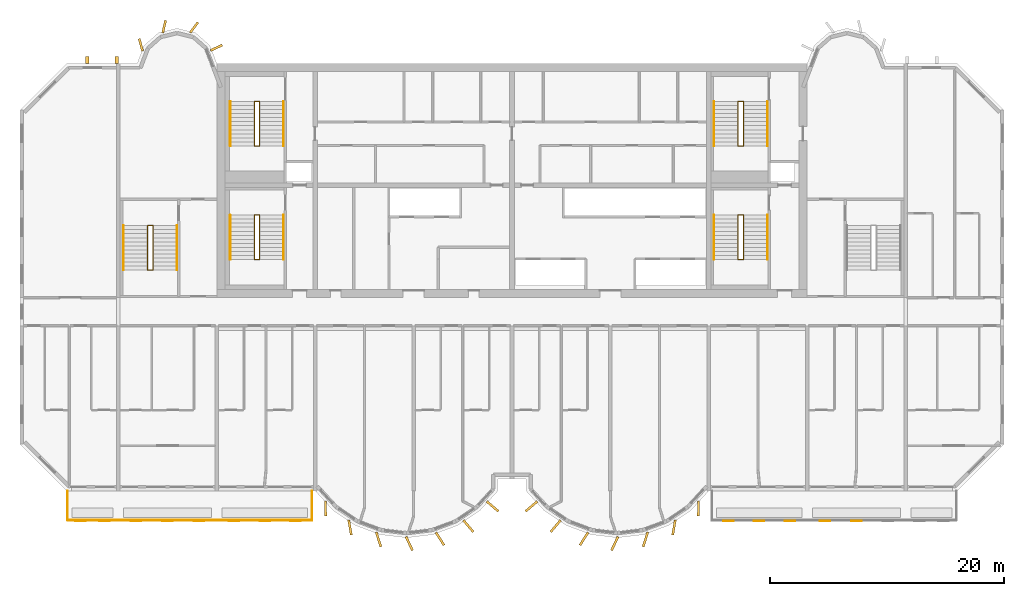
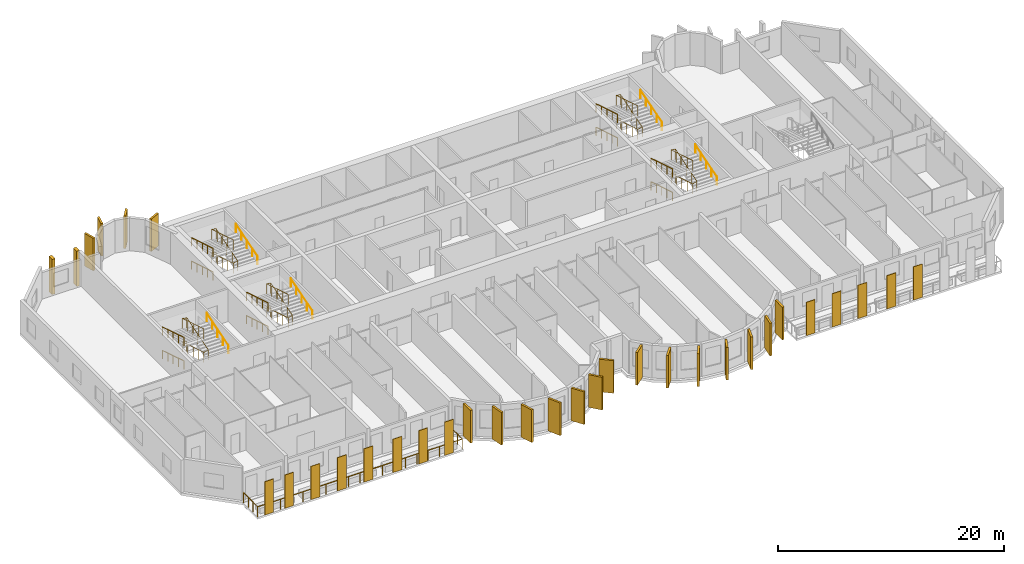
# One storey, part 11 of 13: 33 coverings, 21 railings.
"""IFC4 building model written with IfcOpenShell, lengths in metres."""

from ifc_helpers import new_model, si_unit, direction, frame, origin, origin_2d, place, context, subcontext, project, spatial, rectangle, circle, extrude, source, transform, mapped, material, layer, layer_set, material_profile, profile_set, type_object, element, save


model = new_model("IFC4")

# Units and contexts
model_context = context("Model", 3, precision=1e-05, world=origin(), true_north=direction((0.0, 1.0)))
body_context = subcontext(model_context, "Body", "Model", "MODEL_VIEW")
ifc_project = project(units=[si_unit("LENGTHUNIT", "METRE"), si_unit("AREAUNIT", "SQUARE_METRE"), si_unit("VOLUMEUNIT", "CUBIC_METRE"), si_unit("PLANEANGLEUNIT", "RADIAN"), si_unit("MASSUNIT", "GRAM", prefix="KILO")], contexts=[model_context])

# Site, building, storey
site_placement = place(None, origin())
site = spatial("IfcSite", under=ifc_project, at=site_placement, CompositionType="ELEMENT")
building_placement = place(site_placement, origin())
building = spatial("IfcBuilding", under=site, at=building_placement, Name="Vanashikhar Sky Hotel", CompositionType="ELEMENT")
storey_placement = place(building_placement, frame((0.0, 0.0, 166.800048828125)))
storey = spatial("IfcBuildingStorey", under=building, at=storey_placement, Name="L40", CompositionType="ELEMENT", Elevation=166.800048828125)

# Coverings
ifc_material_1 = material(Name="Terracotta", Category="masonry")
ifc_layer = layer(ifc_material_1, 0.06005859375)
ifc_layer_set = layer_set([ifc_layer], Name="Terracotta baguette screen")
covering_type_1 = type_object("IfcCoveringType", Name="Terracotta baguette screen", PredefinedType="CLADDING", material=ifc_layer_set)
shared_shape_1 = source(origin(), body_context, "Body", "SweptSolid", [
    extrude(rectangle(XDim=0.89990234375, YDim=0.06005859375, at=origin_2d()), origin(), (0.0, 0.0, 1.0), 3.60009765625),
])
for number, where, z_axis, x_axis, name in (
    (1, (13.574951171875, 2.929931640625, -0.050048828125), (0.0, 0.0, 1.0), (1.0, 0.0, 0.0), "Terracotta screen"),
    (2, (15.625, 2.929931640625, -0.050048828125), (0.0, 0.0, 1.0), (1.0, 0.0, 0.0), "Terracotta screen"),
    (3, (18.300048828125, 2.929931640625, -0.050048828125), (0.0, 0.0, 1.0), (1.0, 0.0, 0.0), "Terracotta screen"),
    (4, (21.0, 2.929931640625, -0.050048828125), (0.0, 0.0, 1.0), (1.0, 0.0, 0.0), "Terracotta screen"),
    (5, (23.699951171875, 2.929931640625, -0.050048828125), (0.0, 0.0, 1.0), (1.0, 0.0, 0.0), "Terracotta screen"),
    (6, (26.666748046875, 2.929931640625, -0.050048828125), (0.0, 0.0, 1.0), (1.0, 0.0, 0.0), "Terracotta screen"),
    (7, (29.300048828125, 2.929931640625, -0.050048828125), (0.0, 0.0, 1.0), (1.0, 0.0, 0.0), "Terracotta screen"),
    (8, (31.933349609375, 2.929931640625, -0.050048828125), (0.0, 0.0, 1.0), (1.0, 0.0, 0.0), "Terracotta screen"),
    (9, (68.86669921875, 2.929931640625, -0.050048828125), (0.0, 0.0, 1.0), (1.0, 0.0, 0.0), "Terracotta screen"),
    (10, (71.5, 2.929931640625, -0.050048828125), (0.0, 0.0, 1.0), (1.0, 0.0, 0.0), "Terracotta screen"),
    (11, (74.13330078125, 2.929931640625, -0.050048828125), (0.0, 0.0, 1.0), (1.0, 0.0, 0.0), "Terracotta screen"),
    (12, (77.10009765625, 2.929931640625, -0.050048828125), (0.0, 0.0, 1.0), (1.0, 0.0, 0.0), "Terracotta screen"),
    (13, (79.800048828125, 2.929931640625, -0.050048828125), (0.0, 0.0, 1.0), (1.0, 0.0, 0.0), "Terracotta screen"),
):
    element("IfcCovering", number, at=place(storey_placement, frame(where, z_axis=z_axis, x_axis=x_axis)), inside=storey, type_object=covering_type_1, Name=name, PredefinedType="CLADDING", context=body_context, shape_type="MappedRepresentation", body=[
        mapped(shared_shape_1, transform((0.0, 0.0, 0.0), scale=1.0)),
    ])
ifc_material_2 = material(Name="Concrete M60 dark", Category="concrete")
ifc_material_profile_1 = material_profile(ifc_material_2, rectangle(XDim=1.300048828125, YDim=0.199951171875, at=origin_2d()))
ifc_profile_set_1 = profile_set([ifc_material_profile_1], Name="Fin 1300 x 200")
covering_type_2 = type_object("IfcCoveringType", Name="Fin 1300 x 200", PredefinedType="CLADDING", material=ifc_profile_set_1)
shared_shape_2 = source(origin(), body_context, "Body", "SweptSolid", [
    extrude(rectangle(XDim=1.300048828125, YDim=0.199951171875, at=origin_2d()), origin(), (0.0, 0.0, 1.0), 3.52001953125),
])
for number, where, z_axis, x_axis, name in (
    (14, (34.482421875, 3.992919921875, 0.0), (0.0, 0.0, 1.0), (0.011588726826, -0.999932848451, 0.0), "Fin F1-1"),
    (15, (36.572509765625, 2.3779296875, 0.0), (0.0, 0.0, 1.0), (0.16989991575, -0.985461322746, 0.0), "Fin F1-2"),
    (16, (39.00830078125, 1.35693359375, 0.0), (0.0, 0.0, 1.0), (0.303966551867, -0.952682704444, 0.0), "Fin F1-3"),
    (17, (41.63232421875, 1.00146484375, 0.0), (0.0, 0.0, 1.0), (0.422618261741, -0.906307787037, 0.0), "Fin F1-4"),
    (18, (44.251953125, 1.416015625, 0.0), (0.0, 0.0, 1.0), (0.534411358496, -0.845224526331, 0.0), "Fin F1-5"),
    (19, (46.676025390625, 2.5, 0.0), (0.0, 0.0, 1.0), (0.645697609467, -0.763593214433, 0.0), "Fin F1-6"),
    (20, (48.7412109375, 4.1845703125, 0.0), (0.0, 0.0, 1.0), (0.758543912032, -0.65162192529, 0.0), "Fin F1-7"),
    (21, (52.058837890625, 4.1845703125, 0.0), (0.0, 0.0, 1.0), (-0.758543912032, -0.65162192529, 0.0), "Fin F2-1"),
    (22, (54.123779296875, 2.5, 0.0), (0.0, 0.0, 1.0), (-0.645697609467, -0.763593214433, 0.0), "Fin F2-2"),
    (23, (56.547119140625, 1.416015625, 0.0), (0.0, 0.0, 1.0), (-0.534411358496, -0.845224526331, 0.0), "Fin F2-3"),
    (24, (59.16748046875, 1.00146484375, 0.0), (0.0, 0.0, 1.0), (-0.422618261741, -0.906307787037, 0.0), "Fin F2-4"),
    (25, (61.790771484375, 1.35693359375, 0.0), (0.0, 0.0, 1.0), (-0.303966551867, -0.952682704444, 0.0), "Fin F2-5"),
    (26, (64.2275390625, 2.3779296875, 0.0), (0.0, 0.0, 1.0), (-0.16989991575, -0.985461322746, 0.0), "Fin F2-6"),
    (27, (66.317626953125, 3.992919921875, 0.0), (0.0, 0.0, 1.0), (-0.011588726826, -0.999932848451, 0.0), "Fin F2-7"),
):
    element("IfcCovering", number, at=place(storey_placement, frame(where, z_axis=z_axis, x_axis=x_axis)), inside=storey, type_object=covering_type_2, Name=name, PredefinedType="CLADDING", context=body_context, shape_type="MappedRepresentation", body=[
        mapped(shared_shape_2, transform((0.0, 0.0, 0.0), scale=1.0)),
    ])
ifc_material_profile_2 = material_profile(ifc_material_2, rectangle(XDim=1.10009765625, YDim=0.199951171875, at=origin_2d()))
ifc_profile_set_2 = profile_set([ifc_material_profile_2], Name="Rear lobe fin 1100 x 200")
covering_type_3 = type_object("IfcCoveringType", Name="Rear lobe fin 1100 x 200", PredefinedType="CLADDING", material=ifc_profile_set_2)
shared_shape_3 = source(origin(), body_context, "Body", "SweptSolid", [
    extrude(rectangle(XDim=1.10009765625, YDim=0.199951171875, at=origin_2d()), origin(), (0.0, 0.0, 1.0), 3.52001953125),
])
for number, where, z_axis, x_axis, name in (
    (28, (18.720703125, 43.580078125, 0.0), (0.0, 0.0, 1.0), (-0.262711264409, 0.964874495234, 0.0), "Fin R1-1"),
    (29, (20.710205078125, 45.1455078125, 0.0), (0.0, 0.0, 1.0), (0.224644935864, 0.974440687159, 0.0), "Fin R1-2"),
    (30, (23.261962890625, 45.06640625, 0.0), (0.0, 0.0, 1.0), (0.602065892195, 0.798446404874, 0.0), "Fin R1-3"),
    (31, (25.169677734375, 43.33447265625, 0.0), (0.0, 0.0, 1.0), (0.908004291068, 0.418960866193, 0.0), "Fin R1-4"),
):
    element("IfcCovering", number, at=place(storey_placement, frame(where, z_axis=z_axis, x_axis=x_axis)), inside=storey, type_object=covering_type_3, Name=name, PredefinedType="CLADDING", context=body_context, shape_type="MappedRepresentation", body=[
        mapped(shared_shape_3, transform((0.0, 0.0, 0.0), scale=1.0)),
    ])

# Railing
ifc_material_3 = material(Name="Stainless steel 316", Category="steel")
railing_type_1 = type_object("IfcRailingType", Name="Balcony guard 1100", PredefinedType="GUARDRAIL", material=ifc_material_3)
shared_shape_4 = source(origin(), body_context, "Body", "SweptSolid", [
    extrude(circle(Radius=0.02392578125, at=origin_2d()), frame((0.0, 0.0, 1.076171875), z_axis=(0.0, -1.0, 0.0), x_axis=(1.0, 0.0, 0.0)), (0.0, 0.0, 1.0), 2.5),
    extrude(circle(Radius=0.02392578125, at=origin_2d()), frame((0.0, -2.5, 1.076171875), z_axis=(1.0, 0.0, 0.0), x_axis=(0.0, 1.0, 0.0)), (0.0, 0.0, 1.0), 20.880126953125),
    extrude(circle(Radius=0.02392578125, at=origin_2d()), frame((20.880126953125, -2.5, 1.076171875), z_axis=(0.0, 1.0, 0.0), x_axis=(-1.0, 0.0, 0.0)), (0.0, 0.0, 1.0), 2.5),
    extrude(circle(Radius=0.02099609375, at=origin_2d()), origin(), (0.0, 0.0, 1.0), 1.052001953125),
    extrude(circle(Radius=0.02099609375, at=origin_2d()), frame((0.0, -0.833251953125, 0.0)), (0.0, 0.0, 1.0), 1.052001953125),
    extrude(circle(Radius=0.02099609375, at=origin_2d()), frame((0.0, -1.666748046875, 0.0)), (0.0, 0.0, 1.0), 1.052001953125),
    extrude(circle(Radius=0.02099609375, at=origin_2d()), frame((0.0, -2.5, 0.0)), (0.0, 0.0, 1.0), 1.052001953125),
    extrude(circle(Radius=0.02099609375, at=origin_2d()), frame((1.159912109375, -2.5, 0.0)), (0.0, 0.0, 1.0), 1.052001953125),
    extrude(circle(Radius=0.02099609375, at=origin_2d()), frame((2.320068359375, -2.5, 0.0)), (0.0, 0.0, 1.0), 1.052001953125),
    extrude(circle(Radius=0.02099609375, at=origin_2d()), frame((3.47998046875, -2.5, 0.0)), (0.0, 0.0, 1.0), 1.052001953125),
    extrude(circle(Radius=0.02099609375, at=origin_2d()), frame((4.64013671875, -2.5, 0.0)), (0.0, 0.0, 1.0), 1.052001953125),
    extrude(circle(Radius=0.02099609375, at=origin_2d()), frame((5.800048828125, -2.5, 0.0)), (0.0, 0.0, 1.0), 1.052001953125),
    extrude(circle(Radius=0.02099609375, at=origin_2d()), frame((6.9599609375, -2.5, 0.0)), (0.0, 0.0, 1.0), 1.052001953125),
    extrude(circle(Radius=0.02099609375, at=origin_2d()), frame((8.1201171875, -2.5, 0.0)), (0.0, 0.0, 1.0), 1.052001953125),
    extrude(circle(Radius=0.02099609375, at=origin_2d()), frame((9.280029296875, -2.5, 0.0)), (0.0, 0.0, 1.0), 1.052001953125),
    extrude(circle(Radius=0.02099609375, at=origin_2d()), frame((10.43994140625, -2.5, 0.0)), (0.0, 0.0, 1.0), 1.052001953125),
    extrude(circle(Radius=0.02099609375, at=origin_2d()), frame((11.60009765625, -2.5, 0.0)), (0.0, 0.0, 1.0), 1.052001953125),
    extrude(circle(Radius=0.02099609375, at=origin_2d()), frame((12.760009765625, -2.5, 0.0)), (0.0, 0.0, 1.0), 1.052001953125),
    extrude(circle(Radius=0.02099609375, at=origin_2d()), frame((13.920166015625, -2.5, 0.0)), (0.0, 0.0, 1.0), 1.052001953125),
    extrude(circle(Radius=0.02099609375, at=origin_2d()), frame((15.080078125, -2.5, 0.0)), (0.0, 0.0, 1.0), 1.052001953125),
    extrude(circle(Radius=0.02099609375, at=origin_2d()), frame((16.239990234375, -2.5, 0.0)), (0.0, 0.0, 1.0), 1.052001953125),
    extrude(circle(Radius=0.02099609375, at=origin_2d()), frame((17.400146484375, -2.5, 0.0)), (0.0, 0.0, 1.0), 1.052001953125),
    extrude(circle(Radius=0.02099609375, at=origin_2d()), frame((18.56005859375, -2.5, 0.0)), (0.0, 0.0, 1.0), 1.052001953125),
    extrude(circle(Radius=0.02099609375, at=origin_2d()), frame((19.72021484375, -2.5, 0.0)), (0.0, 0.0, 1.0), 1.052001953125),
    extrude(circle(Radius=0.02099609375, at=origin_2d()), frame((20.880126953125, -2.5, 0.0)), (0.0, 0.0, 1.0), 1.052001953125),
    extrude(circle(Radius=0.02099609375, at=origin_2d()), frame((20.880126953125, -1.666748046875, 0.0)), (0.0, 0.0, 1.0), 1.052001953125),
    extrude(circle(Radius=0.02099609375, at=origin_2d()), frame((20.880126953125, -0.833251953125, 0.0)), (0.0, 0.0, 1.0), 1.052001953125),
    extrude(circle(Radius=0.02099609375, at=origin_2d()), frame((20.880126953125, 0.0, 0.0)), (0.0, 0.0, 1.0), 1.052001953125),
])
railing_1_placement = place(storey_placement, frame((12.4599609375, 5.5, -0.050048828125)))
element("IfcRailing", 32, at=railing_1_placement, inside=storey, type_object=railing_type_1, Name="Balcony guard", PredefinedType="GUARDRAIL", context=body_context, shape_type="MappedRepresentation", body=[
    mapped(shared_shape_4, transform((0.0, 0.0, 0.0), scale=1.0)),
])

# Coverings
ifc_material_profile_3 = material_profile(ifc_material_2, rectangle(XDim=0.60009765625, YDim=0.300048828125, at=origin_2d()))
ifc_profile_set_3 = profile_set([ifc_material_profile_3], Name="Rear rib 600 x 300")
covering_type_4 = type_object("IfcCoveringType", Name="Rear rib 600 x 300", PredefinedType="CLADDING", material=ifc_profile_set_3)
shared_shape_5 = source(origin(), body_context, "Body", "SweptSolid", [
    extrude(rectangle(XDim=0.60009765625, YDim=0.300048828125, at=origin_2d()), origin(), (0.0, 0.0, 1.0), 3.800048828125),
])
for number, where, z_axis, x_axis, name in (
    (33, (14.14990234375, 42.300048828125, -0.280029296875), (0.0, 0.0, 1.0), (0.0, 1.0, 0.0), "Rear rib"),
    (34, (16.64990234375, 42.300048828125, -0.280029296875), (0.0, 0.0, 1.0), (0.0, 1.0, 0.0), "Rear rib"),
):
    element("IfcCovering", number, at=place(storey_placement, frame(where, z_axis=z_axis, x_axis=x_axis)), inside=storey, type_object=covering_type_4, Name=name, PredefinedType="CLADDING", context=body_context, shape_type="MappedRepresentation", body=[
        mapped(shared_shape_5, transform((0.0, 0.0, 0.0), scale=1.0)),
    ])

# Railings
ifc_material_4 = material(Name="Steel S355", Category="steel")
railing_type_2 = type_object("IfcRailingType", Name="Stair handrail 900", PredefinedType="HANDRAIL", material=ifc_material_4)
shared_shape_6 = source(origin(), body_context, "Body", "SweptSolid", [
    extrude(circle(Radius=0.02392578125, at=origin_2d()), frame((0.0, 0.0, 0.8759765625), z_axis=(0.0, 0.95635109408, 0.292220096591), x_axis=(-1.0, 0.0, 0.0)), (0.0, 0.0, 1.0), 3.973388671875),
    extrude(circle(Radius=0.02099609375, at=origin_2d()), origin(), (0.0, 0.0, 1.0), 0.851806640625),
    extrude(circle(Radius=0.02099609375, at=origin_2d()), frame((0.0, 0.949951171875, 0.290283203125)), (0.0, 0.0, 1.0), 0.851806640625),
    extrude(circle(Radius=0.02099609375, at=origin_2d()), frame((0.0, 1.89990234375, 0.58056640625)), (0.0, 0.0, 1.0), 0.851806640625),
    extrude(circle(Radius=0.02099609375, at=origin_2d()), frame((0.0, 2.85009765625, 0.870849609375)), (0.0, 0.0, 1.0), 0.851806640625),
    extrude(circle(Radius=0.02099609375, at=origin_2d()), frame((0.0, 3.800048828125, 1.1611328125)), (0.0, 0.0, 1.0), 0.851806640625),
])
for number, where, name in (
    (35, (30.89990234375, 25.25, 1.3720703125), "Exit stair 1 handrail"),
    (36, (72.199951171875, 25.25, 1.3720703125), "Exit stair 2 handrail"),
    (37, (30.89990234375, 34.949951171875, 1.3720703125), "Exit stair 5 handrail"),
    (38, (72.199951171875, 34.949951171875, 1.3720703125), "Exit stair 6 handrail"),
):
    element("IfcRailing", number, at=place(storey_placement, frame(where)), inside=storey, type_object=railing_type_2, Name=name, PredefinedType="HANDRAIL", context=body_context, shape_type="MappedRepresentation", body=[
        mapped(shared_shape_6, transform((0.0, 0.0, 0.0), scale=1.0)),
    ])
shared_shape_7 = source(origin(), body_context, "Body", "SweptSolid", [
    extrude(circle(Radius=0.02392578125, at=origin_2d()), frame((0.0, 0.0, 0.8759765625), z_axis=(0.0, -0.95635109408, 0.292220096591), x_axis=(1.0, 0.0, 0.0)), (0.0, 0.0, 1.0), 3.973388671875),
    extrude(circle(Radius=0.02099609375, at=origin_2d()), origin(), (0.0, 0.0, 1.0), 0.851806640625),
    extrude(circle(Radius=0.02099609375, at=origin_2d()), frame((0.0, -0.949951171875, 0.290283203125)), (0.0, 0.0, 1.0), 0.851806640625),
    extrude(circle(Radius=0.02099609375, at=origin_2d()), frame((0.0, -1.89990234375, 0.58056640625)), (0.0, 0.0, 1.0), 0.851806640625),
    extrude(circle(Radius=0.02099609375, at=origin_2d()), frame((0.0, -2.85009765625, 0.870849609375)), (0.0, 0.0, 1.0), 0.851806640625),
    extrude(circle(Radius=0.02099609375, at=origin_2d()), frame((0.0, -3.800048828125, 1.1611328125)), (0.0, 0.0, 1.0), 0.851806640625),
])
for number, where, name in (
    (39, (26.35009765625, 29.050048828125, 0.10546875), "Exit stair 1 handrail"),
    (40, (26.35009765625, 29.050048828125, 2.638916015625), "Exit stair 1 handrail"),
    (41, (67.64990234375, 29.050048828125, 0.10546875), "Exit stair 2 handrail"),
    (42, (67.64990234375, 29.050048828125, 2.638916015625), "Exit stair 2 handrail"),
    (43, (26.35009765625, 38.75, 0.10546875), "Exit stair 5 handrail"),
    (44, (26.35009765625, 38.75, 2.638916015625), "Exit stair 5 handrail"),
    (45, (67.64990234375, 38.75, 0.10546875), "Exit stair 6 handrail"),
    (46, (67.64990234375, 38.75, 2.638916015625), "Exit stair 6 handrail"),
):
    element("IfcRailing", number, at=place(storey_placement, frame(where)), inside=storey, type_object=railing_type_2, Name=name, PredefinedType="HANDRAIL", context=body_context, shape_type="MappedRepresentation", body=[
        mapped(shared_shape_7, transform((0.0, 0.0, 0.0), scale=1.0)),
    ])
railing_type_3 = type_object("IfcRailingType", Name="Stair guard 1100", PredefinedType="GUARDRAIL", material=ifc_material_4)
shared_shape_8 = source(origin(), body_context, "Body", "SweptSolid", [
    extrude(circle(Radius=0.02392578125, at=origin_2d()), frame((0.0, 0.0, 1.076171875), z_axis=(-0.973638301096, 0.0, 0.228097476179), x_axis=(0.0, -1.0, 0.0)), (0.0, 0.0, 1.0), 0.46240234375),
    extrude(circle(Radius=0.02392578125, at=origin_2d()), frame((-0.4501953125, 0.0, 1.181640625), z_axis=(0.0, -0.95635109408, 0.292220096591), x_axis=(1.0, 0.0, 0.0)), (0.0, 0.0, 1.0), 3.973388671875),
    extrude(circle(Radius=0.02392578125, at=origin_2d()), frame((-0.4501953125, -3.800048828125, 2.3427734375), z_axis=(0.973638301096, 0.0, 0.228097476179), x_axis=(0.0, 1.0, 0.0)), (0.0, 0.0, 1.0), 0.46240234375),
    extrude(circle(Radius=0.02392578125, at=origin_2d()), frame((0.0, -3.800048828125, 2.4482421875), z_axis=(0.0, 0.95635109408, 0.292220096591), x_axis=(-1.0, 0.0, 0.0)), (0.0, 0.0, 1.0), 3.973388671875),
    extrude(circle(Radius=0.02392578125, at=origin_2d()), frame((0.0, 0.0, 3.609375), z_axis=(-0.973520925263, 0.0, 0.228597917917), x_axis=(0.0, -1.0, 0.0)), (0.0, 0.0, 1.0), 0.46240234375),
    extrude(circle(Radius=0.02392578125, at=origin_2d()), frame((-0.4501953125, 0.0, 3.71484375), z_axis=(0.0, -0.95635109408, 0.292220096591), x_axis=(1.0, 0.0, 0.0)), (0.0, 0.0, 1.0), 3.973388671875),
    extrude(circle(Radius=0.02099609375, at=origin_2d()), origin(), (0.0, 0.0, 1.0), 1.052001953125),
    extrude(circle(Radius=0.02099609375, at=origin_2d()), frame((-0.4501953125, 0.0, 0.10546875)), (0.0, 0.0, 1.0), 1.052001953125),
    extrude(circle(Radius=0.02099609375, at=origin_2d()), frame((-0.4501953125, -0.949951171875, 0.395751953125)), (0.0, 0.0, 1.0), 1.052001953125),
    extrude(circle(Radius=0.02099609375, at=origin_2d()), frame((-0.4501953125, -1.89990234375, 0.68603515625)), (0.0, 0.0, 1.0), 1.052001953125),
    extrude(circle(Radius=0.02099609375, at=origin_2d()), frame((-0.4501953125, -2.85009765625, 0.976318359375)), (0.0, 0.0, 1.0), 1.052001953125),
    extrude(circle(Radius=0.02099609375, at=origin_2d()), frame((-0.4501953125, -3.800048828125, 1.2666015625)), (0.0, 0.0, 1.0), 1.052001953125),
    extrude(circle(Radius=0.02099609375, at=origin_2d()), frame((0.0, -3.800048828125, 1.3720703125)), (0.0, 0.0, 1.0), 1.052001953125),
    extrude(circle(Radius=0.02099609375, at=origin_2d()), frame((0.0, -2.85009765625, 1.662353515625)), (0.0, 0.0, 1.0), 1.052001953125),
    extrude(circle(Radius=0.02099609375, at=origin_2d()), frame((0.0, -1.89990234375, 1.95263671875)), (0.0, 0.0, 1.0), 1.052001953125),
    extrude(circle(Radius=0.02099609375, at=origin_2d()), frame((0.0, -0.949951171875, 2.242919921875)), (0.0, 0.0, 1.0), 1.052001953125),
    extrude(circle(Radius=0.02099609375, at=origin_2d()), frame((0.0, 0.0, 2.533203125)), (0.0, 0.0, 1.0), 1.052001953125),
    extrude(circle(Radius=0.02099609375, at=origin_2d()), frame((-0.4501953125, 0.0, 2.638916015625)), (0.0, 0.0, 1.0), 1.052001953125),
    extrude(circle(Radius=0.02099609375, at=origin_2d()), frame((-0.4501953125, -0.949951171875, 2.92919921875)), (0.0, 0.0, 1.0), 1.052001953125),
    extrude(circle(Radius=0.02099609375, at=origin_2d()), frame((-0.4501953125, -1.89990234375, 3.219482421875)), (0.0, 0.0, 1.0), 1.052001953125),
    extrude(circle(Radius=0.02099609375, at=origin_2d()), frame((-0.4501953125, -2.85009765625, 3.509765625)), (0.0, 0.0, 1.0), 1.052001953125),
    extrude(circle(Radius=0.02099609375, at=origin_2d()), frame((-0.4501953125, -3.800048828125, 3.800048828125)), (0.0, 0.0, 1.0), 1.052001953125),
])
for number, where, name in (
    (47, (28.85009765625, 29.050048828125, 0.0), "Exit stair 1 guard"),
    (48, (28.85009765625, 38.75, 0.0), "Exit stair 5 guard"),
):
    element("IfcRailing", number, at=place(storey_placement, frame(where)), inside=storey, type_object=railing_type_3, Name=name, PredefinedType="GUARDRAIL", context=body_context, shape_type="MappedRepresentation", body=[
        mapped(shared_shape_8, transform((0.0, 0.0, 0.0), scale=1.0)),
    ])
shared_shape_9 = source(origin(), body_context, "Body", "SweptSolid", [
    extrude(circle(Radius=0.02392578125, at=origin_2d()), frame((0.0, 0.0, 1.076171875), z_axis=(-0.973610808694, 0.0, 0.228214796178), x_axis=(0.0, -1.0, 0.0)), (0.0, 0.0, 1.0), 0.462158203125),
    extrude(circle(Radius=0.02392578125, at=origin_2d()), frame((-0.449951171875, 0.0, 1.181640625), z_axis=(0.0, -0.95635109408, 0.292220096591), x_axis=(1.0, 0.0, 0.0)), (0.0, 0.0, 1.0), 3.973388671875),
    extrude(circle(Radius=0.02392578125, at=origin_2d()), frame((-0.449951171875, -3.800048828125, 2.3427734375), z_axis=(0.973610808694, 0.0, 0.228214796178), x_axis=(0.0, 1.0, 0.0)), (0.0, 0.0, 1.0), 0.462158203125),
    extrude(circle(Radius=0.02392578125, at=origin_2d()), frame((0.0, -3.800048828125, 2.4482421875), z_axis=(0.0, 0.95635109408, 0.292220096591), x_axis=(-1.0, 0.0, 0.0)), (0.0, 0.0, 1.0), 3.973388671875),
    extrude(circle(Radius=0.02392578125, at=origin_2d()), frame((0.0, 0.0, 3.609375), z_axis=(-0.973493315427, 0.0, 0.228715466945), x_axis=(0.0, -1.0, 0.0)), (0.0, 0.0, 1.0), 0.462158203125),
    extrude(circle(Radius=0.02392578125, at=origin_2d()), frame((-0.449951171875, 0.0, 3.71484375), z_axis=(0.0, -0.95635109408, 0.292220096591), x_axis=(1.0, 0.0, 0.0)), (0.0, 0.0, 1.0), 3.973388671875),
    extrude(circle(Radius=0.02099609375, at=origin_2d()), origin(), (0.0, 0.0, 1.0), 1.052001953125),
    extrude(circle(Radius=0.02099609375, at=origin_2d()), frame((-0.449951171875, 0.0, 0.10546875)), (0.0, 0.0, 1.0), 1.052001953125),
    extrude(circle(Radius=0.02099609375, at=origin_2d()), frame((-0.449951171875, -0.949951171875, 0.395751953125)), (0.0, 0.0, 1.0), 1.052001953125),
    extrude(circle(Radius=0.02099609375, at=origin_2d()), frame((-0.449951171875, -1.89990234375, 0.68603515625)), (0.0, 0.0, 1.0), 1.052001953125),
    extrude(circle(Radius=0.02099609375, at=origin_2d()), frame((-0.449951171875, -2.85009765625, 0.976318359375)), (0.0, 0.0, 1.0), 1.052001953125),
    extrude(circle(Radius=0.02099609375, at=origin_2d()), frame((-0.449951171875, -3.800048828125, 1.2666015625)), (0.0, 0.0, 1.0), 1.052001953125),
    extrude(circle(Radius=0.02099609375, at=origin_2d()), frame((0.0, -3.800048828125, 1.3720703125)), (0.0, 0.0, 1.0), 1.052001953125),
    extrude(circle(Radius=0.02099609375, at=origin_2d()), frame((0.0, -2.85009765625, 1.662353515625)), (0.0, 0.0, 1.0), 1.052001953125),
    extrude(circle(Radius=0.02099609375, at=origin_2d()), frame((0.0, -1.89990234375, 1.95263671875)), (0.0, 0.0, 1.0), 1.052001953125),
    extrude(circle(Radius=0.02099609375, at=origin_2d()), frame((0.0, -0.949951171875, 2.242919921875)), (0.0, 0.0, 1.0), 1.052001953125),
    extrude(circle(Radius=0.02099609375, at=origin_2d()), frame((0.0, 0.0, 2.533203125)), (0.0, 0.0, 1.0), 1.052001953125),
    extrude(circle(Radius=0.02099609375, at=origin_2d()), frame((-0.449951171875, 0.0, 2.638916015625)), (0.0, 0.0, 1.0), 1.052001953125),
    extrude(circle(Radius=0.02099609375, at=origin_2d()), frame((-0.449951171875, -0.949951171875, 2.92919921875)), (0.0, 0.0, 1.0), 1.052001953125),
    extrude(circle(Radius=0.02099609375, at=origin_2d()), frame((-0.449951171875, -1.89990234375, 3.219482421875)), (0.0, 0.0, 1.0), 1.052001953125),
    extrude(circle(Radius=0.02099609375, at=origin_2d()), frame((-0.449951171875, -2.85009765625, 3.509765625)), (0.0, 0.0, 1.0), 1.052001953125),
    extrude(circle(Radius=0.02099609375, at=origin_2d()), frame((-0.449951171875, -3.800048828125, 3.800048828125)), (0.0, 0.0, 1.0), 1.052001953125),
])
for number, where, name in (
    (49, (70.14990234375, 29.050048828125, 0.0), "Exit stair 2 guard"),
    (50, (70.14990234375, 38.75, 0.0), "Exit stair 6 guard"),
):
    element("IfcRailing", number, at=place(storey_placement, frame(where)), inside=storey, type_object=railing_type_3, Name=name, PredefinedType="GUARDRAIL", context=body_context, shape_type="MappedRepresentation", body=[
        mapped(shared_shape_9, transform((0.0, 0.0, 0.0), scale=1.0)),
    ])
shared_shape_10 = source(origin(), body_context, "Body", "SweptSolid", [
    extrude(circle(Radius=0.02392578125, at=origin_2d()), frame((0.0, 0.0, 0.8759765625), z_axis=(0.0, 0.956345846891, 0.292237268557), x_axis=(-1.0, 0.0, 0.0)), (0.0, 0.0, 1.0), 3.97314453125),
    extrude(circle(Radius=0.02099609375, at=origin_2d()), origin(), (0.0, 0.0, 1.0), 0.851806640625),
    extrude(circle(Radius=0.02099609375, at=origin_2d()), frame((0.0, 0.949951171875, 0.290283203125)), (0.0, 0.0, 1.0), 0.851806640625),
    extrude(circle(Radius=0.02099609375, at=origin_2d()), frame((0.0, 1.89990234375, 0.58056640625)), (0.0, 0.0, 1.0), 0.851806640625),
    extrude(circle(Radius=0.02099609375, at=origin_2d()), frame((0.0, 2.849853515625, 0.870849609375)), (0.0, 0.0, 1.0), 0.851806640625),
    extrude(circle(Radius=0.02099609375, at=origin_2d()), frame((0.0, 3.7998046875, 1.1611328125)), (0.0, 0.0, 1.0), 0.851806640625),
])
railing_2_placement = place(storey_placement, frame((21.800048828125, 24.35009765625, 1.3720703125)))
element("IfcRailing", 51, at=railing_2_placement, inside=storey, type_object=railing_type_2, Name="Exit stair 3 handrail", PredefinedType="HANDRAIL", context=body_context, shape_type="MappedRepresentation", body=[
    mapped(shared_shape_10, transform((0.0, 0.0, 0.0), scale=1.0)),
])
shared_shape_11 = source(origin(), body_context, "Body", "SweptSolid", [
    extrude(circle(Radius=0.02392578125, at=origin_2d()), frame((0.0, 0.0, 0.8759765625), z_axis=(0.0, -0.956345846891, 0.292237268557), x_axis=(1.0, 0.0, 0.0)), (0.0, 0.0, 1.0), 3.97314453125),
    extrude(circle(Radius=0.02099609375, at=origin_2d()), origin(), (0.0, 0.0, 1.0), 0.851806640625),
    extrude(circle(Radius=0.02099609375, at=origin_2d()), frame((0.0, -0.949951171875, 0.290283203125)), (0.0, 0.0, 1.0), 0.851806640625),
    extrude(circle(Radius=0.02099609375, at=origin_2d()), frame((0.0, -1.89990234375, 0.58056640625)), (0.0, 0.0, 1.0), 0.851806640625),
    extrude(circle(Radius=0.02099609375, at=origin_2d()), frame((0.0, -2.849853515625, 0.870849609375)), (0.0, 0.0, 1.0), 0.851806640625),
    extrude(circle(Radius=0.02099609375, at=origin_2d()), frame((0.0, -3.7998046875, 1.1611328125)), (0.0, 0.0, 1.0), 0.851806640625),
])
for number, where, name in (
    (52, (17.25, 28.14990234375, 0.10546875), "Exit stair 3 handrail"),
    (53, (17.25, 28.14990234375, 2.638916015625), "Exit stair 3 handrail"),
):
    element("IfcRailing", number, at=place(storey_placement, frame(where)), inside=storey, type_object=railing_type_2, Name=name, PredefinedType="HANDRAIL", context=body_context, shape_type="MappedRepresentation", body=[
        mapped(shared_shape_11, transform((0.0, 0.0, 0.0), scale=1.0)),
    ])
shared_shape_12 = source(origin(), body_context, "Body", "SweptSolid", [
    extrude(circle(Radius=0.02392578125, at=origin_2d()), frame((0.0, 0.0, 1.076171875), z_axis=(-0.973610808694, 0.0, 0.228214796178), x_axis=(0.0, -1.0, 0.0)), (0.0, 0.0, 1.0), 0.462158203125),
    extrude(circle(Radius=0.02392578125, at=origin_2d()), frame((-0.449951171875, 0.0, 1.181640625), z_axis=(0.0, -0.956345846891, 0.292237268557), x_axis=(1.0, 0.0, 0.0)), (0.0, 0.0, 1.0), 3.97314453125),
    extrude(circle(Radius=0.02392578125, at=origin_2d()), frame((-0.449951171875, -3.7998046875, 2.3427734375), z_axis=(0.973610808694, 0.0, 0.228214796178), x_axis=(0.0, 1.0, 0.0)), (0.0, 0.0, 1.0), 0.462158203125),
    extrude(circle(Radius=0.02392578125, at=origin_2d()), frame((0.0, -3.7998046875, 2.4482421875), z_axis=(0.0, 0.956345846891, 0.292237268557), x_axis=(-1.0, 0.0, 0.0)), (0.0, 0.0, 1.0), 3.97314453125),
    extrude(circle(Radius=0.02392578125, at=origin_2d()), frame((0.0, 0.0, 3.609375), z_axis=(-0.973493315427, 0.0, 0.228715466945), x_axis=(0.0, -1.0, 0.0)), (0.0, 0.0, 1.0), 0.462158203125),
    extrude(circle(Radius=0.02392578125, at=origin_2d()), frame((-0.449951171875, 0.0, 3.71484375), z_axis=(0.0, -0.956345846891, 0.292237268557), x_axis=(1.0, 0.0, 0.0)), (0.0, 0.0, 1.0), 3.97314453125),
    extrude(circle(Radius=0.02099609375, at=origin_2d()), origin(), (0.0, 0.0, 1.0), 1.052001953125),
    extrude(circle(Radius=0.02099609375, at=origin_2d()), frame((-0.449951171875, 0.0, 0.10546875)), (0.0, 0.0, 1.0), 1.052001953125),
    extrude(circle(Radius=0.02099609375, at=origin_2d()), frame((-0.449951171875, -0.949951171875, 0.395751953125)), (0.0, 0.0, 1.0), 1.052001953125),
    extrude(circle(Radius=0.02099609375, at=origin_2d()), frame((-0.449951171875, -1.89990234375, 0.68603515625)), (0.0, 0.0, 1.0), 1.052001953125),
    extrude(circle(Radius=0.02099609375, at=origin_2d()), frame((-0.449951171875, -2.849853515625, 0.976318359375)), (0.0, 0.0, 1.0), 1.052001953125),
    extrude(circle(Radius=0.02099609375, at=origin_2d()), frame((-0.449951171875, -3.7998046875, 1.2666015625)), (0.0, 0.0, 1.0), 1.052001953125),
    extrude(circle(Radius=0.02099609375, at=origin_2d()), frame((0.0, -3.7998046875, 1.3720703125)), (0.0, 0.0, 1.0), 1.052001953125),
    extrude(circle(Radius=0.02099609375, at=origin_2d()), frame((0.0, -2.849853515625, 1.662353515625)), (0.0, 0.0, 1.0), 1.052001953125),
    extrude(circle(Radius=0.02099609375, at=origin_2d()), frame((0.0, -1.89990234375, 1.95263671875)), (0.0, 0.0, 1.0), 1.052001953125),
    extrude(circle(Radius=0.02099609375, at=origin_2d()), frame((0.0, -0.949951171875, 2.242919921875)), (0.0, 0.0, 1.0), 1.052001953125),
    extrude(circle(Radius=0.02099609375, at=origin_2d()), frame((0.0, 0.0, 2.533203125)), (0.0, 0.0, 1.0), 1.052001953125),
    extrude(circle(Radius=0.02099609375, at=origin_2d()), frame((-0.449951171875, 0.0, 2.638916015625)), (0.0, 0.0, 1.0), 1.052001953125),
    extrude(circle(Radius=0.02099609375, at=origin_2d()), frame((-0.449951171875, -0.949951171875, 2.92919921875)), (0.0, 0.0, 1.0), 1.052001953125),
    extrude(circle(Radius=0.02099609375, at=origin_2d()), frame((-0.449951171875, -1.89990234375, 3.219482421875)), (0.0, 0.0, 1.0), 1.052001953125),
    extrude(circle(Radius=0.02099609375, at=origin_2d()), frame((-0.449951171875, -2.849853515625, 3.509765625)), (0.0, 0.0, 1.0), 1.052001953125),
    extrude(circle(Radius=0.02099609375, at=origin_2d()), frame((-0.449951171875, -3.7998046875, 3.800048828125)), (0.0, 0.0, 1.0), 1.052001953125),
])
railing_3_placement = place(storey_placement, frame((19.75, 28.14990234375, 0.0)))
element("IfcRailing", 54, at=railing_3_placement, inside=storey, type_object=railing_type_3, Name="Exit stair 3 guard", PredefinedType="GUARDRAIL", context=body_context, shape_type="MappedRepresentation", body=[
    mapped(shared_shape_12, transform((0.0, 0.0, 0.0), scale=1.0)),
])

save(model, "model.ifc")
